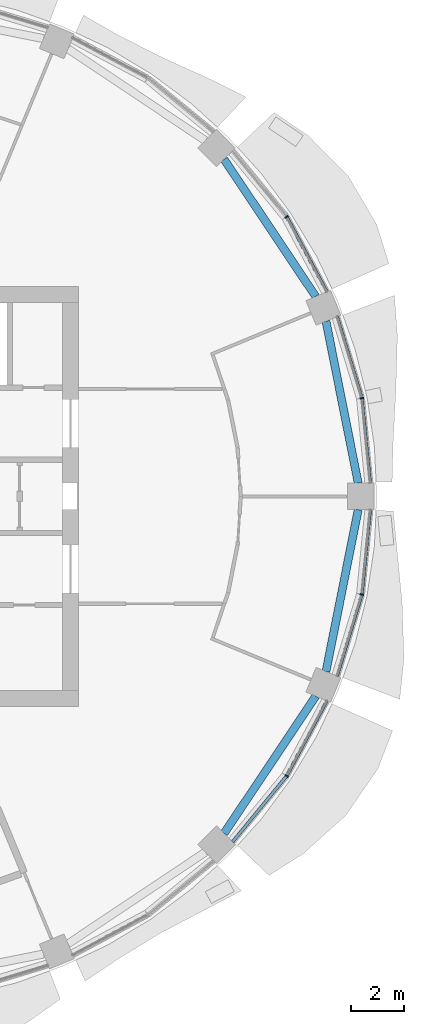
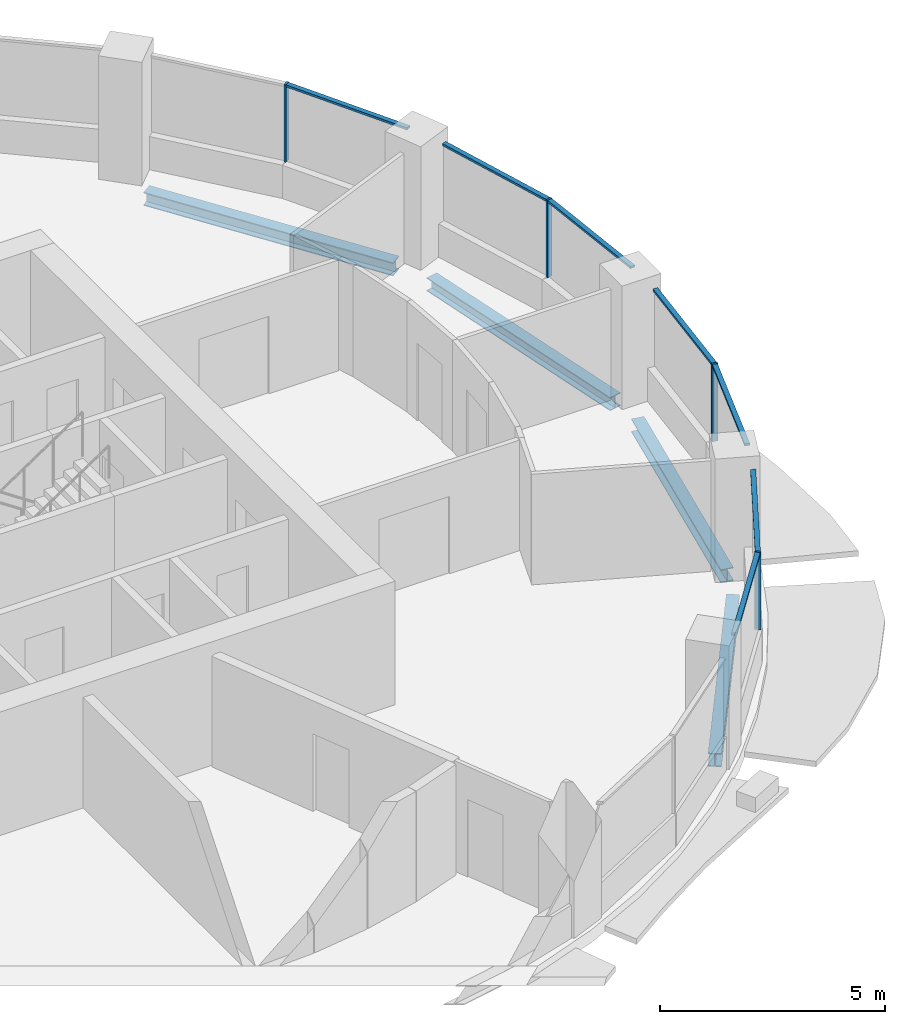
# One storey, part 5 of 15: 11 members, 4 beams, 4 elements without a shape of their own.
"""IFC4 building model written with IfcOpenShell, lengths in metres."""

import ifcopenshell
import ifcopenshell.guid

model = None  # the IFC model being written
_history = None  # IfcOwnerHistory: only IFC2X3 demands one
_inside = {}  # id of a spatial element -> (the spatial element, [elements in it])
_under = {}  # id of a project, library or spatial element -> (it, [spatial elements below it])
_declared = {}  # id of a project -> (the project, [libraries it declares])
_typed = {}  # id of a type object -> (the type object, [elements of that type])
_made_of = {}  # id of a material, layer set ... -> (it, [elements and type objects made of it])


def new_model(schema):
    """Start an empty IFC model of exactly this schema.

    Asked for "IFC4X3", IfcOpenShell would pick the latest addendum, in which some entities
    have other attributes; the version numbers below select the first issue.
    IFC2X3 requires an IfcOwnerHistory on every rooted entity: one is made here for all.
    """
    global model, _history
    if schema == "IFC4X3":
        model = ifcopenshell.file(schema_version=(4, 3, 0, 0))
    else:
        model = ifcopenshell.file(schema=schema)
    _inside.clear()
    _under.clear()
    _declared.clear()
    _typed.clear()
    _made_of.clear()
    _history = None
    if model.schema == "IFC2X3":
        org = make("IfcOrganization", Name="unknown")
        user = make(
            "IfcPersonAndOrganization",
            ThePerson=make("IfcPerson", FamilyName="unknown"),
            TheOrganization=org,
        )
        app = make(
            "IfcApplication",
            ApplicationDeveloper=org,
            Version="unknown",
            ApplicationFullName="unknown",
            ApplicationIdentifier="unknown",
        )
        _history = make(
            "IfcOwnerHistory",
            OwningUser=user,
            OwningApplication=app,
            ChangeAction="ADDED",
            CreationDate=0,
        )
    return model


def make(cls, **values):
    """One entity of the class cls with the attributes given. An attribute that is None is left unset."""
    return model.create_entity(
        cls, **{name: value for name, value in values.items() if value is not None}
    )


def rooted(cls, **values):
    """An entity with a GlobalId (a new one), such as an element, a storey or a relation."""
    return make(cls, GlobalId=ifcopenshell.guid.new(), OwnerHistory=_history, **values)


def si_unit(unit_type, name, prefix=None):
    """IfcSIUnit, for example si_unit("LENGTHUNIT", "METRE", prefix="MILLI")."""
    return make("IfcSIUnit", UnitType=unit_type, Prefix=prefix, Name=name)


def assignment(units):
    """IfcUnitAssignment: the units of a project."""
    return None if units is None else make("IfcUnitAssignment", Units=units)


def point(xyz):
    """IfcCartesianPoint."""
    return None if xyz is None else make("IfcCartesianPoint", Coordinates=xyz)


def direction(xyz):
    """IfcDirection."""
    return None if xyz is None else make("IfcDirection", DirectionRatios=xyz)


def frame(location, z_axis=None, x_axis=None):
    """IfcAxis2Placement3D, a coordinate frame: its origin and axes. An axis left out is left unset."""
    return make(
        "IfcAxis2Placement3D",
        Location=point(location),
        Axis=direction(z_axis),
        RefDirection=direction(x_axis),
    )


def frame_2d(location, x_axis=None):
    """IfcAxis2Placement2D, a coordinate frame in the plane: its origin and x axis."""
    return make(
        "IfcAxis2Placement2D", Location=point(location), RefDirection=direction(x_axis)
    )


def origin():
    """The frame at (0, 0, 0) with its axes left unset."""
    return frame((0.0, 0.0, 0.0))


def origin_2d():
    """The frame at (0, 0) in the plane with its x axis left unset."""
    return frame_2d((0.0, 0.0))


def place(relative_to, where):
    """IfcLocalPlacement: puts the frame where relative to a parent placement (None: the world)."""
    return make(
        "IfcLocalPlacement", PlacementRelTo=relative_to, RelativePlacement=where
    )


def context(
    kind, dimensions, precision=None, world=None, true_north=None, identifier=None
):
    """IfcGeometricRepresentationContext, for example the 3D "Model" context."""
    return make(
        "IfcGeometricRepresentationContext",
        ContextIdentifier=identifier,
        ContextType=kind,
        CoordinateSpaceDimension=dimensions,
        Precision=precision,
        WorldCoordinateSystem=world,
        TrueNorth=true_north,
    )


def subcontext(parent, identifier, kind, view, scale=None):
    """IfcGeometricRepresentationSubContext, for example "Body" below "Model"."""
    return make(
        "IfcGeometricRepresentationSubContext",
        ContextIdentifier=identifier,
        ContextType=kind,
        ParentContext=parent,
        TargetScale=scale,
        TargetView=view,
    )


def project(units=None, contexts=None):
    """IfcProject with its units and contexts."""
    return rooted(
        "IfcProject",
        Name="project",
        RepresentationContexts=contexts,
        UnitsInContext=assignment(units),
    )


def spatial(cls, under=None, at=None, **own):
    """A site, building, storey or space (cls), placed at a placement, below another one or the project."""
    s = rooted(cls, ObjectPlacement=at, **own)
    if under is not None:
        _under.setdefault(under.id(), (under, []))[1].append(s)
    return s


def profile(cls, at=None, kind="AREA", **sizes):
    """A parametric profile (cls). Its sizes go by their IFC names, for example OverallWidth=200.0."""
    return make(cls, ProfileType=kind, Position=at, **sizes)


def rectangle(**sizes):
    """IfcRectangleProfileDef."""
    return profile("IfcRectangleProfileDef", **sizes)


def i_section(**sizes):
    """IfcIShapeProfileDef."""
    return profile("IfcIShapeProfileDef", **sizes)


def extrude(swept, where, along, depth):
    """IfcExtrudedAreaSolid: the profile swept, set in the frame where, extruded along a direction by depth."""
    return make(
        "IfcExtrudedAreaSolid",
        SweptArea=swept,
        Position=where,
        ExtrudedDirection=direction(along),
        Depth=depth,
    )


def shape(context_of_items, identifier, shape_type, items):
    """IfcShapeRepresentation: the items that make up one representation, for example the "Body"."""
    return make(
        "IfcShapeRepresentation",
        ContextOfItems=context_of_items,
        RepresentationIdentifier=identifier,
        RepresentationType=shape_type,
        Items=items,
    )


def material(Name=None, Category=None):
    """IfcMaterial."""
    return make("IfcMaterial", Name=Name, Category=Category)


def material_profile(
    of_material, cross_section, Name=None, Category=None, Priority=None
):
    """IfcMaterialProfile: a cross section and its material."""
    return make(
        "IfcMaterialProfile",
        Name=Name,
        Material=of_material,
        Profile=cross_section,
        Priority=Priority,
        Category=Category,
    )


def profile_set(profiles, Name=None, composite=None):
    """IfcMaterialProfileSet."""
    return make(
        "IfcMaterialProfileSet",
        Name=Name,
        MaterialProfiles=profiles,
        CompositeProfile=composite,
    )


def made_of(thing, what):
    """Note that an element or type object is made of a material, layer set ...; save() writes the relation."""
    if what is not None:
        _made_of.setdefault(what.id(), (what, []))[1].append(thing)
    return thing


def type_object(cls, material=None, **own):
    """A type object (cls), such as IfcWallType, which elements share."""
    return made_of(rooted(cls, **own), material)


def element(
    cls,
    number,
    at=None,
    inside=None,
    cuts=None,
    type_object=None,
    material=None,
    context=None,
    identifier="Body",
    shape_type=None,
    held_by="IfcProductDefinitionShape",
    body=None,
    shapes=None,
    **own,
):
    """One element of the class cls, such as IfcWall. Its Tag is "e" and its number.

    at: its placement. inside: the storey or other place that contains it. cuts: it is an
    opening in that element (IfcRelVoidsElement). A single representation is given by context,
    identifier, shape_type and body (its items); several are given by shapes. held_by: the class
    of the entity that holds the representations. save() writes the other relations.
    """
    e = rooted(cls, Tag="e%d" % number, ObjectPlacement=at, **own)
    if body is not None:
        shapes = [shape(context, identifier, shape_type, body)]
    if shapes is not None:
        e.Representation = make(held_by, Representations=shapes)
    if inside is not None:
        _inside.setdefault(inside.id(), (inside, []))[1].append(e)
    if cuts is not None:
        rooted(
            "IfcRelVoidsElement", RelatingBuildingElement=cuts, RelatedOpeningElement=e
        )
    if type_object is not None:
        _typed.setdefault(type_object.id(), (type_object, []))[1].append(e)
    return made_of(e, material)


def aggregate(whole, parts):
    """IfcRelAggregates: a whole, such as a stair, and the parts it consists of."""
    return rooted("IfcRelAggregates", RelatingObject=whole, RelatedObjects=parts)


def save(model, path):
    """Write the relations noted so far, then the file.

    IfcRelAggregates (storeys below a building ...), IfcRelContainedInSpatialStructure (elements
    in a storey), IfcRelDefinesByType, IfcRelAssociatesMaterial and IfcRelDeclares: one each for
    every whole, place, type object, material and project.
    """
    for whole, parts in _under.values():
        aggregate(whole, parts)
    for where, things in _inside.values():
        rooted(
            "IfcRelContainedInSpatialStructure",
            RelatedElements=things,
            RelatingStructure=where,
        )
    for kind, things in _typed.values():
        rooted("IfcRelDefinesByType", RelatedObjects=things, RelatingType=kind)
    for what, things in _made_of.values():
        rooted("IfcRelAssociatesMaterial", RelatedObjects=things, RelatingMaterial=what)
    for by, libraries in _declared.values():
        rooted("IfcRelDeclares", RelatingContext=by, RelatedDefinitions=libraries)
    model.write(path)


model = new_model("IFC4")

# Units and contexts
model_context = context("Model", 3, precision=1e-05, world=origin(), true_north=direction((0.0, 1.0)))
body_context = subcontext(model_context, "Body", "Model", "MODEL_VIEW")
ifc_project = project(units=[si_unit("LENGTHUNIT", "METRE"), si_unit("AREAUNIT", "SQUARE_METRE"), si_unit("VOLUMEUNIT", "CUBIC_METRE"), si_unit("PLANEANGLEUNIT", "RADIAN"), si_unit("MASSUNIT", "GRAM", prefix="KILO")], contexts=[model_context])

# Site, building, storey
site_placement = place(None, origin())
site = spatial("IfcSite", under=ifc_project, at=site_placement, CompositionType="ELEMENT")
building_placement = place(site_placement, origin())
building = spatial("IfcBuilding", under=site, at=building_placement, Name="Polderwave Tower", CompositionType="ELEMENT")
storey_placement = place(building_placement, frame((0.0, 0.0, 127.64990234375)))
storey = spatial("IfcBuildingStorey", under=building, at=storey_placement, Name="L33", CompositionType="ELEMENT", Elevation=127.64990234375)

# Curtain wall, member
ifc_material_1 = material(Name="Aluminium 6063-T6 and glass", Category="aluminium")
curtain_wall_type = type_object("IfcCurtainWallType", Name="Office ribbon glazing wall", PredefinedType="NOTDEFINED", material=ifc_material_1)
curtain_wall_1_placement = place(storey_placement, origin())
curtain_wall_1 = element("IfcCurtainWall", 1, at=curtain_wall_1_placement, inside=storey, type_object=curtain_wall_type, Name="CW3 L33 00", PredefinedType="NOTDEFINED")
ifc_material_2 = material(Name="Aluminium 6063-T6", Category="aluminium")
ifc_material_profile_1 = material_profile(ifc_material_2, rectangle(XDim=0.139892578125, YDim=0.054931640625, at=origin_2d()), Name="AL 55x140")
ifc_profile_set_1 = profile_set([ifc_material_profile_1], Name="Aluminium 6063-T6")
member_type_1 = type_object("IfcMemberType", Name="Office ribbon glazing mullion 55x140", PredefinedType="MULLION", material=ifc_profile_set_1)
member_1_placement = place(storey_placement, frame((18.498046875, 3.678955078125, 0.900146484375), z_axis=(0.0, 0.0, 1.0), x_axis=(-0.98077778875, -0.195127981324, 0.0)))
member_1 = element("IfcMember", 2, at=member_1_placement, type_object=member_type_1, Name="CW3 mullion 1", PredefinedType="MULLION", context=body_context, shape_type="SweptSolid", body=[
    extrude(rectangle(XDim=0.139892578125, YDim=0.054931640625, at=origin_2d()), origin(), (0.0, 0.0, 1.0), 2.099853515625),
])

curtain_wall_2_placement = place(storey_placement, origin())
curtain_wall_2 = element("IfcCurtainWall", 3, at=curtain_wall_2_placement, inside=storey, type_object=curtain_wall_type, Name="CW3 L33 01", PredefinedType="NOTDEFINED")
member_2_placement = place(storey_placement, frame((15.681884765625, 10.47802734375, 0.900146484375), z_axis=(0.0, 0.0, 1.0), x_axis=(-0.831453127836, -0.555594902975, 0.0)))
member_2 = element("IfcMember", 4, at=member_2_placement, type_object=member_type_1, Name="CW3 mullion 1", PredefinedType="MULLION", context=body_context, shape_type="SweptSolid", body=[
    extrude(rectangle(XDim=0.139892578125, YDim=0.054931640625, at=origin_2d()), origin(), (0.0, 0.0, 1.0), 2.099853515625),
])

curtain_wall_3_placement = place(storey_placement, origin())
curtain_wall_3 = element("IfcCurtainWall", 5, at=curtain_wall_3_placement, inside=storey, type_object=curtain_wall_type, Name="CW3 L33 14", PredefinedType="NOTDEFINED")
member_3_placement = place(storey_placement, frame((15.681884765625, -10.47802734375, 0.900146484375), z_axis=(0.0, 0.0, 1.0), x_axis=(-0.831453127836, 0.555594902975, 0.0)))
member_3 = element("IfcMember", 6, at=member_3_placement, type_object=member_type_1, Name="CW3 mullion 1", PredefinedType="MULLION", context=body_context, shape_type="SweptSolid", body=[
    extrude(rectangle(XDim=0.139892578125, YDim=0.054931640625, at=origin_2d()), origin(), (0.0, 0.0, 1.0), 2.099853515625),
])

curtain_wall_4_placement = place(storey_placement, origin())
curtain_wall_4 = element("IfcCurtainWall", 7, at=curtain_wall_4_placement, inside=storey, type_object=curtain_wall_type, Name="CW3 L33 15", PredefinedType="NOTDEFINED")
member_4_placement = place(storey_placement, frame((18.498046875, -3.678955078125, 0.900146484375), z_axis=(0.0, 0.0, 1.0), x_axis=(-0.98077778875, 0.195127981324, 0.0)))
member_4 = element("IfcMember", 8, at=member_4_placement, type_object=member_type_1, Name="CW3 mullion 1", PredefinedType="MULLION", context=body_context, shape_type="SweptSolid", body=[
    extrude(rectangle(XDim=0.139892578125, YDim=0.054931640625, at=origin_2d()), origin(), (0.0, 0.0, 1.0), 2.099853515625),
])

# Member
ifc_material_profile_2 = material_profile(ifc_material_2, rectangle(XDim=0.1201171875, YDim=0.06005859375, at=origin_2d()), Name="AL 60x120")
ifc_profile_set_2 = profile_set([ifc_material_profile_2], Name="Aluminium 6063-T6")
member_type_2 = type_object("IfcMemberType", Name="Office ribbon glazing transom 60x120", PredefinedType="USERDEFINED", material=ifc_profile_set_2)
member_5_placement = place(storey_placement, frame((18.81103515625, 0.5, 2.97021484375), z_axis=(-0.09798465056, 0.9951879261, 0.0), x_axis=(-0.9951879261, -0.09798465056, 0.0)))
member_5 = element("IfcMember", 9, at=member_5_placement, type_object=member_type_2, Name="CW3 transom 1", ObjectType="TRANSOM", PredefinedType="USERDEFINED", context=body_context, shape_type="SweptSolid", body=[
    extrude(rectangle(XDim=0.1201171875, YDim=0.06005859375, at=origin_2d()), origin(), (0.0, 0.0, 1.0), 3.166748046875),
])

member_6_placement = place(storey_placement, frame((18.489990234375, 3.705322265625, 2.97021484375), z_axis=(-0.290358126892, 0.95691805195, 0.0), x_axis=(-0.95691805195, -0.290358126892, 0.0)))
member_6 = element("IfcMember", 10, at=member_6_placement, type_object=member_type_2, Name="CW3 transom 2", ObjectType="TRANSOM", PredefinedType="USERDEFINED", context=body_context, shape_type="SweptSolid", body=[
    extrude(rectangle(XDim=0.1201171875, YDim=0.06005859375, at=origin_2d()), origin(), (0.0, 0.0, 1.0), 3.168212890625),
])

aggregate(curtain_wall_1, [member_1, member_5, member_6])

member_7_placement = place(storey_placement, frame((17.18798828125, 7.660888671875, 2.97021484375), z_axis=(-0.471440336956, 0.881897958208, 0.0), x_axis=(-0.881897958208, -0.471440336956, 0.0)))
member_7 = element("IfcMember", 11, at=member_7_placement, type_object=member_type_2, Name="CW3 transom 1", ObjectType="TRANSOM", PredefinedType="USERDEFINED", context=body_context, shape_type="SweptSolid", body=[
    extrude(rectangle(XDim=0.1201171875, YDim=0.06005859375, at=origin_2d()), origin(), (0.0, 0.0, 1.0), 3.166748046875),
])

aggregate(curtain_wall_2, [member_2, member_7])

member_8_placement = place(storey_placement, frame((13.655029296875, -12.947998046875, 2.97021484375), z_axis=(0.634374481569, 0.773025883871, 0.0), x_axis=(-0.773025883871, 0.634374481569, 0.0)))
member_8 = element("IfcMember", 12, at=member_8_placement, type_object=member_type_2, Name="CW3 transom 1", ObjectType="TRANSOM", PredefinedType="USERDEFINED", context=body_context, shape_type="SweptSolid", body=[
    extrude(rectangle(XDim=0.1201171875, YDim=0.06005859375, at=origin_2d()), origin(), (0.0, 0.0, 1.0), 3.167724609375),
])

member_9_placement = place(storey_placement, frame((15.695068359375, -10.45361328125, 2.97021484375), z_axis=(0.471440336956, 0.881897958208, 0.0), x_axis=(-0.881897958208, 0.471440336956, 0.0)))
member_9 = element("IfcMember", 13, at=member_9_placement, type_object=member_type_2, Name="CW3 transom 2", ObjectType="TRANSOM", PredefinedType="USERDEFINED", context=body_context, shape_type="SweptSolid", body=[
    extrude(rectangle(XDim=0.1201171875, YDim=0.06005859375, at=origin_2d()), origin(), (0.0, 0.0, 1.0), 3.166748046875),
])

aggregate(curtain_wall_3, [member_3, member_8, member_9])

member_10_placement = place(storey_placement, frame((17.570068359375, -6.737060546875, 2.97021484375), z_axis=(0.290358126892, 0.95691805195, 0.0), x_axis=(-0.95691805195, 0.290358126892, 0.0)))
member_10 = element("IfcMember", 14, at=member_10_placement, type_object=member_type_2, Name="CW3 transom 1", ObjectType="TRANSOM", PredefinedType="USERDEFINED", context=body_context, shape_type="SweptSolid", body=[
    extrude(rectangle(XDim=0.1201171875, YDim=0.06005859375, at=origin_2d()), origin(), (0.0, 0.0, 1.0), 3.168212890625),
])

member_11_placement = place(storey_placement, frame((18.500732421875, -3.651611328125, 2.97021484375), z_axis=(0.09798465056, 0.9951879261, 0.0), x_axis=(-0.9951879261, 0.09798465056, 0.0)))
member_11 = element("IfcMember", 15, at=member_11_placement, type_object=member_type_2, Name="CW3 transom 2", ObjectType="TRANSOM", PredefinedType="USERDEFINED", context=body_context, shape_type="SweptSolid", body=[
    extrude(rectangle(XDim=0.1201171875, YDim=0.06005859375, at=origin_2d()), origin(), (0.0, 0.0, 1.0), 3.166748046875),
])

aggregate(curtain_wall_4, [member_4, member_10, member_11])

# Beams
ifc_material_3 = material(Name="Steel S355", Category="steel")
ifc_material_profile_3 = material_profile(ifc_material_3, i_section(OverallWidth=0.300048828125, OverallDepth=0.360107421875, WebThickness=0.012451171875, FlangeThickness=0.0224609375, at=origin_2d()), Name="HE 360 B")
ifc_profile_set_3 = profile_set([ifc_material_profile_3], Name="Steel S355")
beam_type = type_object("IfcBeamType", Name="RING BEAM HE 360 B", PredefinedType="BEAM", material=ifc_profile_set_3)
beam_1_placement = place(storey_placement, frame((18.360595703125, 0.5, -0.52978515625), z_axis=(-0.195090959886, 0.980785153523, 0.0), x_axis=(-0.980785153523, -0.195090959886, 0.0)))
element("IfcBeam", 16, at=beam_1_placement, inside=storey, type_object=beam_type, Name="ST-RB-L33-00", PredefinedType="BEAM", context=body_context, shape_type="SweptSolid", body=[
    extrude(i_section(OverallWidth=0.300048828125, OverallDepth=0.360107421875, WebThickness=0.012451171875, FlangeThickness=0.0224609375, at=origin_2d()), origin(), (0.0, 0.0, 1.0), 6.183349609375),
])
for number, where, z_axis, x_axis, name in (
    (17, (16.771484375, 7.48828125, -0.52978515625), (-0.555556426907, 0.831478837086, 0.0), (-0.831478837086, -0.555556426907, 0.0), "ST-RB-L33-01"),
    (18, (13.33642578125, -12.62939453125, -0.52978515625), (0.555556426907, 0.831478837086, 0.0), (-0.831478837086, 0.555556426907, 0.0), "ST-RB-L33-14"),
):
    element("IfcBeam", number, at=place(storey_placement, frame(where, z_axis=z_axis, x_axis=x_axis)), inside=storey, type_object=beam_type, Name=name, PredefinedType="BEAM", context=body_context, shape_type="SweptSolid", body=[
        extrude(i_section(OverallWidth=0.300048828125, OverallDepth=0.360107421875, WebThickness=0.012451171875, FlangeThickness=0.0224609375, at=origin_2d()), origin(), (0.0, 0.0, 1.0), 6.18310546875),
    ])
beam_2_placement = place(storey_placement, frame((17.154296875, -6.564453125, -0.52978515625), z_axis=(0.195090959886, 0.980785153523, 0.0), x_axis=(-0.980785153523, 0.195090959886, 0.0)))
element("IfcBeam", 19, at=beam_2_placement, inside=storey, type_object=beam_type, Name="ST-RB-L33-15", PredefinedType="BEAM", context=body_context, shape_type="SweptSolid", body=[
    extrude(i_section(OverallWidth=0.300048828125, OverallDepth=0.360107421875, WebThickness=0.012451171875, FlangeThickness=0.0224609375, at=origin_2d()), origin(), (0.0, 0.0, 1.0), 6.183349609375),
])

save(model, "model.ifc")
